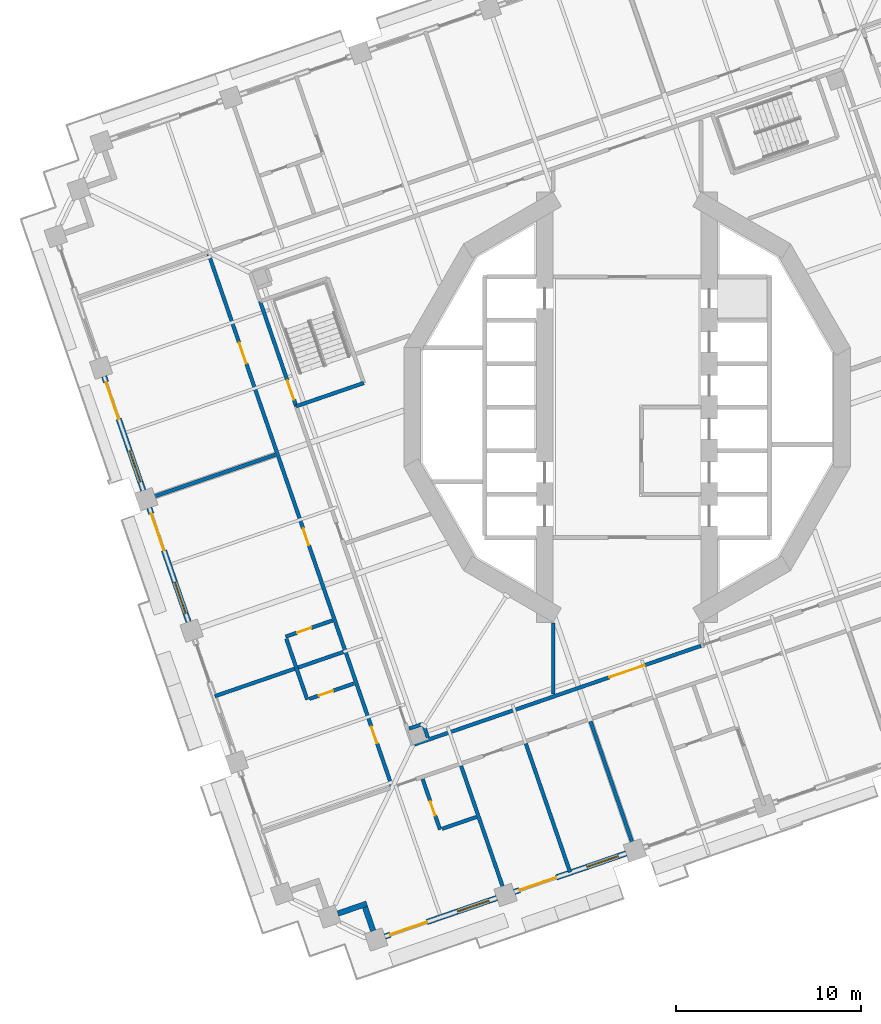
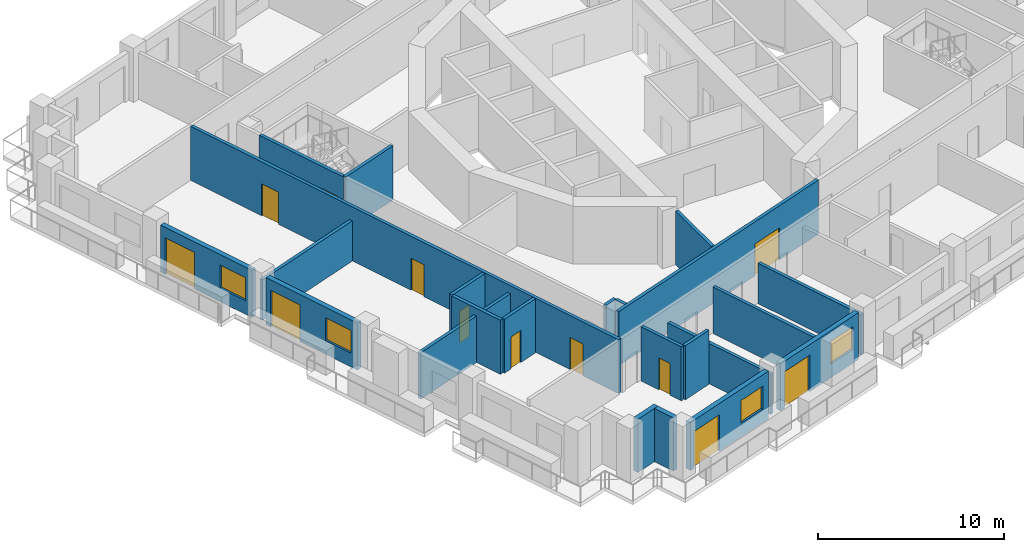
# One storey, part 7 of 19: 23 walls, 12 doors, 4 windows, 16 openings.
"""IFC4 building model written with IfcOpenShell, lengths in metres."""

from ifc_helpers import new_model, si_unit, direction, frame, frame_2d, origin, place, context, subcontext, project, spatial, rectangle, extrude, material, layer, layer_set, type_object, element, fill, save


model = new_model("IFC4")

# Units and contexts
model_context = context("Model", 3, precision=1e-05, world=origin(), true_north=direction((0.0, 1.0)))
body_context = subcontext(model_context, "Body", "Model", "MODEL_VIEW")
ifc_project = project(units=[si_unit("LENGTHUNIT", "METRE"), si_unit("AREAUNIT", "SQUARE_METRE"), si_unit("VOLUMEUNIT", "CUBIC_METRE"), si_unit("PLANEANGLEUNIT", "RADIAN"), si_unit("MASSUNIT", "GRAM", prefix="KILO")], contexts=[model_context])

# Site, building, storey
site_placement = place(None, origin())
site = spatial("IfcSite", under=ifc_project, at=site_placement, CompositionType="ELEMENT")
building_placement = place(site_placement, origin())
building = spatial("IfcBuilding", under=site, at=building_placement, Name="Cantera Rosa Tower", CompositionType="ELEMENT")
storey_placement = place(building_placement, frame((0.0, 0.0, 126.89990234375)))
storey = spatial("IfcBuildingStorey", under=building, at=storey_placement, Name="L26", CompositionType="ELEMENT", Elevation=126.89990234375)

# Wall, openings, doors
ifc_material_1 = material(Name="Gypsum board partition")
ifc_layer_1 = layer(ifc_material_1, 0.199951171875)
ifc_layer_set_1 = layer_set([ifc_layer_1], Name="CORRIDOR WALL 200 H3550")
wall_type_1 = type_object("IfcWallType", Name="CORRIDOR WALL 200 H3550", PredefinedType="PARTITIONING", material=ifc_layer_set_1)
wall_1_placement = place(storey_placement, frame((-22.6298828125, 8.28369140625, 0.0), z_axis=(0.0, 0.0, 1.0), x_axis=(0.325570542196, -0.945517753431, 0.0)))
wall_1 = element("IfcWall", 1, at=wall_1_placement, inside=storey, type_object=wall_type_1, Name="CORRIDOR WALL L26-002", PredefinedType="PARTITIONING", context=body_context, shape_type="SweptSolid", body=[
    extrude(rectangle(XDim=30.5, YDim=0.199951171875, at=frame_2d((15.25, 0.0))), origin(), (0.0, 0.0, 1.0), 3.550048828125),
])
opening_1_placement = place(wall_1_placement, frame((5.070068359375, 0.0, 0.0)))
opening_1 = element("IfcOpeningElement", 2, at=opening_1_placement, cuts=wall_1, Name="Opening L26-027", PredefinedType="OPENING", context=body_context, shape_type="SweptSolid", body=[
    extrude(rectangle(XDim=1.199951171875, YDim=2.10009765625, at=frame_2d((0.60009765625, 1.050048828125))), frame((0.0, 0.10986328125, 0.0), z_axis=(0.0, -1.0, 0.0), x_axis=(1.0, 0.0, 0.0)), (0.0, 0.0, 1.0), 0.219970703125),
])
opening_2_placement = place(wall_1_placement, frame((15.705078125, 0.0, 0.0)))
opening_2 = element("IfcOpeningElement", 3, at=opening_2_placement, cuts=wall_1, Name="Opening L26-028", PredefinedType="OPENING", context=body_context, shape_type="SweptSolid", body=[
    extrude(rectangle(XDim=0.949951171875, YDim=2.10009765625, at=frame_2d((0.47509765625, 1.050048828125))), frame((0.0, 0.10986328125, 0.0), z_axis=(0.0, -1.0, 0.0), x_axis=(1.0, 0.0, 0.0)), (0.0, 0.0, 1.0), 0.219970703125),
])
opening_3_placement = place(wall_1_placement, frame((27.034912109375, 0.0, 0.0)))
opening_3 = element("IfcOpeningElement", 4, at=opening_3_placement, cuts=wall_1, Name="Opening L26-030", PredefinedType="OPENING", context=body_context, shape_type="SweptSolid", body=[
    extrude(rectangle(XDim=0.949951171875, YDim=2.10009765625, at=frame_2d((0.47509765625, 1.050048828125))), frame((0.0, 0.10986328125, 0.0), z_axis=(0.0, -1.0, 0.0), x_axis=(1.0, 0.0, 0.0)), (0.0, 0.0, 1.0), 0.219970703125),
])
ifc_material_2 = material(Name="Timber door leaf", Category="wood")
door_type_1 = type_object("IfcDoorType", Name="ROOM DOOR 1200x2100", OperationType="NOTDEFINED", PredefinedType="DOOR", material=ifc_material_2)
door_1_placement = place(opening_1_placement, origin())
door_1 = element("IfcDoor", 5, at=door_1_placement, inside=storey, type_object=door_type_1, Name="DOOR L26-027", OperationType="NOTDEFINED", OverallHeight=2.10009765625, OverallWidth=1.199951171875, PredefinedType="DOOR", context=body_context, shape_type="SweptSolid", body=[
    extrude(rectangle(XDim=1.199951171875, YDim=2.10009765625, at=frame_2d((0.60009765625, 1.050048828125))), frame((0.0, 0.02490234375, 0.0), z_axis=(0.0, -1.0, 0.0), x_axis=(1.0, 0.0, 0.0)), (0.0, 0.0, 1.0), 0.050048828125),
])
fill(opening_1, door_1)
ifc_material_3 = material(Name="Timber door leaf", Category="wood")
door_type_2 = type_object("IfcDoorType", Name="ROOM DOOR 950x2100", OperationType="NOTDEFINED", PredefinedType="DOOR", material=ifc_material_3)
door_2_placement = place(opening_2_placement, origin())
door_2 = element("IfcDoor", 6, at=door_2_placement, inside=storey, type_object=door_type_2, Name="DOOR L26-028", OperationType="NOTDEFINED", OverallHeight=2.10009765625, OverallWidth=0.949951171875, PredefinedType="DOOR", context=body_context, shape_type="SweptSolid", body=[
    extrude(rectangle(XDim=0.949951171875, YDim=2.10009765625, at=frame_2d((0.47509765625, 1.050048828125))), frame((0.0, 0.02490234375, 0.0), z_axis=(0.0, -1.0, 0.0), x_axis=(1.0, 0.0, 0.0)), (0.0, 0.0, 1.0), 0.050048828125),
])
fill(opening_2, door_2)
door_3_placement = place(opening_3_placement, origin())
door_3 = element("IfcDoor", 7, at=door_3_placement, inside=storey, type_object=door_type_2, Name="DOOR L26-030", OperationType="NOTDEFINED", OverallHeight=2.10009765625, OverallWidth=0.949951171875, PredefinedType="DOOR", context=body_context, shape_type="SweptSolid", body=[
    extrude(rectangle(XDim=0.949951171875, YDim=2.10009765625, at=frame_2d((0.47509765625, 1.050048828125))), frame((0.0, 0.02490234375, 0.0), z_axis=(0.0, -1.0, 0.0), x_axis=(1.0, 0.0, 0.0)), (0.0, 0.0, 1.0), 0.050048828125),
])
fill(opening_3, door_3)

# Wall, opening, door
wall_2_placement = place(storey_placement, frame((-11.489501953125, -18.23388671875, 0.0), z_axis=(0.0, 0.0, 1.0), x_axis=(0.945522545762, 0.325556624039, 0.0)))
wall_2 = element("IfcWall", 8, at=wall_2_placement, inside=storey, type_object=wall_type_1, Name="CORRIDOR WALL L26-023", PredefinedType="PARTITIONING", context=body_context, shape_type="SweptSolid", body=[
    extrude(rectangle(XDim=16.3818359375, YDim=0.199951171875, at=frame_2d((8.19091796875, 0.0))), origin(), (0.0, 0.0, 1.0), 3.550048828125),
])
opening_4_placement = place(wall_2_placement, frame((11.151611328125, 0.0, 0.0)))
opening_4 = element("IfcOpeningElement", 9, at=opening_4_placement, cuts=wall_2, Name="Opening L26-011", PredefinedType="OPENING", context=body_context, shape_type="SweptSolid", body=[
    extrude(rectangle(XDim=2.0, YDim=2.10009765625, at=frame_2d((1.0, 1.050048828125))), frame((0.0, 0.10986328125, 0.0), z_axis=(0.0, -1.0, 0.0), x_axis=(1.0, 0.0, 0.0)), (0.0, 0.0, 1.0), 0.219970703125),
])
ifc_material_4 = material(Name="Steel S355J2 (EN 10025-2)", Category="steel")
door_type_3 = type_object("IfcDoorType", Name="LOBBY SCREEN DOOR 2000x2100", OperationType="NOTDEFINED", PredefinedType="DOOR", material=ifc_material_4)
door_4_placement = place(opening_4_placement, origin())
door_4 = element("IfcDoor", 10, at=door_4_placement, inside=storey, type_object=door_type_3, Name="DOOR L26-011", OperationType="NOTDEFINED", OverallHeight=2.10009765625, OverallWidth=2.0, PredefinedType="DOOR", context=body_context, shape_type="SweptSolid", body=[
    extrude(rectangle(XDim=2.0, YDim=2.10009765625, at=frame_2d((1.0, 1.050048828125))), frame((0.0, 0.02490234375, 0.0), z_axis=(0.0, -1.0, 0.0), x_axis=(1.0, 0.0, 0.0)), (0.0, 0.0, 1.0), 0.050048828125),
])
fill(opening_4, door_4)

# Walls
wall_3_placement = place(storey_placement, frame((-4.0, -11.667236328125, 0.0), z_axis=(0.0, 0.0, 1.0), x_axis=(0.0, -1.0, 0.0)))
element("IfcWall", 11, at=wall_3_placement, inside=storey, type_object=wall_type_1, Name="CORRIDOR WALL L26-042", PredefinedType="PARTITIONING", context=body_context, shape_type="SweptSolid", body=[
    extrude(rectangle(XDim=3.847900390625, YDim=0.199951171875, at=frame_2d((1.923828125, 0.0))), origin(), (0.0, 0.0, 1.0), 3.550048828125),
])
ifc_material_5 = material(Name="Hollow clay masonry with cantera stone cladding", Category="masonry")
ifc_layer_2 = layer(ifc_material_5, 0.300048828125)
ifc_layer_set_2 = layer_set([ifc_layer_2], Name="EW-LOGGIA 300")
wall_type_2 = type_object("IfcWallType", Name="EW-LOGGIA 300", PredefinedType="SOLIDWALL", material=ifc_layer_set_2)
wall_4_placement = place(storey_placement, frame((-15.636962890625, -27.3828125, 0.0), z_axis=(0.0, 0.0, 1.0), x_axis=(0.945484566827, 0.325666906351, 0.0)))
element("IfcWall", 12, at=wall_4_placement, inside=storey, type_object=wall_type_2, Name="EN-L26-W22a", PredefinedType="SOLIDWALL", context=body_context, shape_type="SweptSolid", body=[
    extrude(rectangle(XDim=1.64990234375, YDim=0.300048828125, at=frame_2d((0.824951171875, 0.0))), origin(), (0.0, 0.0, 1.0), 3.5),
])
wall_5_placement = place(storey_placement, frame((-14.169921875, -27.0361328125, 0.0), z_axis=(0.0, 0.0, 1.0), x_axis=(0.325650742363, -0.945490134268, 0.0)))
element("IfcWall", 13, at=wall_5_placement, inside=storey, type_object=wall_type_2, Name="EN-L26-W22b", PredefinedType="SOLIDWALL", context=body_context, shape_type="SweptSolid", body=[
    extrude(rectangle(XDim=1.35009765625, YDim=0.300048828125, at=frame_2d((0.675048828125, 0.0))), origin(), (0.0, 0.0, 1.0), 3.5),
])

# Wall, openings, window, door
ifc_material_6 = material(Name="Hollow clay masonry with cantera stone cladding", Category="masonry")
ifc_layer_3 = layer(ifc_material_6, 0.300048828125)
ifc_layer_set_3 = layer_set([ifc_layer_3], Name="EW-LOGGIA 300 H3090")
wall_type_3 = type_object("IfcWallType", Name="EW-LOGGIA 300 H3090", PredefinedType="SOLIDWALL", material=ifc_layer_set_3)
wall_6_placement = place(storey_placement, frame((-28.2822265625, 1.662841796875, 0.0), z_axis=(0.0, 0.0, 1.0), x_axis=(0.325580990241, -0.945514155787, 0.0)))
wall_6 = element("IfcWall", 14, at=wall_6_placement, inside=storey, type_object=wall_type_3, Name="EN-L26-W17", PredefinedType="SOLIDWALL", context=body_context, shape_type="SweptSolid", body=[
    extrude(rectangle(XDim=6.52001953125, YDim=0.300048828125, at=frame_2d((3.260009765625, 0.0))), origin(), (0.0, 0.0, 1.0), 3.090087890625),
])
opening_5_placement = place(wall_6_placement, frame((0.330078125, 0.0, 0.0)))
opening_5 = element("IfcOpeningElement", 15, at=opening_5_placement, cuts=wall_6, Name="Opening L26-TD21", PredefinedType="OPENING", context=body_context, shape_type="SweptSolid", body=[
    extrude(rectangle(XDim=2.10009765625, YDim=2.39990234375, at=frame_2d((1.050048828125, 1.199951171875))), frame((0.0, 0.159912109375, 0.0), z_axis=(0.0, -1.0, 0.0), x_axis=(1.0, 0.0, 0.0)), (0.0, 0.0, 1.0), 0.320068359375),
])
opening_6_placement = place(wall_6_placement, frame((4.239990234375, 0.0, 0.89990234375)))
opening_6 = element("IfcOpeningElement", 16, at=opening_6_placement, cuts=wall_6, Name="Opening L26-W22", PredefinedType="OPENING", context=body_context, shape_type="SweptSolid", body=[
    extrude(rectangle(XDim=1.800048828125, YDim=1.5, at=frame_2d((0.89990234375, 0.75))), frame((0.0, 0.159912109375, 0.0), z_axis=(0.0, -1.0, 0.0), x_axis=(1.0, 0.0, 0.0)), (0.0, 0.0, 1.0), 0.320068359375),
])
ifc_material_7 = material(Name="Aluminium frame with clear glass", Category="aluminium")
window_type = type_object("IfcWindowType", Name="Hotel room window 1800x1500", PartitioningType="DOUBLE_PANEL_VERTICAL", PredefinedType="WINDOW", material=ifc_material_7)
window_1_placement = place(opening_6_placement, origin())
window_1 = element("IfcWindow", 17, at=window_1_placement, inside=storey, type_object=window_type, Name="WINDOW L26-W22", OverallHeight=1.5, OverallWidth=1.800048828125, PartitioningType="SINGLE_PANEL", PredefinedType="WINDOW", context=body_context, shape_type="SweptSolid", body=[
    extrude(rectangle(XDim=1.800048828125, YDim=1.5, at=frame_2d((0.89990234375, 0.75))), frame((0.0, 0.030029296875, 0.0), z_axis=(0.0, -1.0, 0.0), x_axis=(1.0, 0.0, 0.0)), (0.0, 0.0, 1.0), 0.06005859375),
])
fill(opening_6, window_1)
ifc_material_8 = material(Name="Aluminium frame with clear glass", Category="aluminium")
door_type_4 = type_object("IfcDoorType", Name="TD-H 2100x2400", OperationType="NOTDEFINED", PredefinedType="DOOR", material=ifc_material_8)
door_5_placement = place(opening_5_placement, origin())
door_5 = element("IfcDoor", 18, at=door_5_placement, inside=storey, type_object=door_type_4, Name="LOGGIA DOOR L26-TD21", OperationType="SLIDING_TO_LEFT", OverallHeight=2.39990234375, OverallWidth=2.10009765625, PredefinedType="DOOR", context=body_context, shape_type="SweptSolid", body=[
    extrude(rectangle(XDim=2.10009765625, YDim=2.39990234375, at=frame_2d((1.050048828125, 1.199951171875))), frame((0.0, 0.02490234375, 0.0), z_axis=(0.0, -1.0, 0.0), x_axis=(1.0, 0.0, 0.0)), (0.0, 0.0, 1.0), 0.050048828125),
])
fill(opening_5, door_5)

wall_7_placement = place(storey_placement, frame((-25.833984375, -5.447509765625, 0.0), z_axis=(0.0, 0.0, 1.0), x_axis=(0.325580990241, -0.945514155787, 0.0)))
wall_7 = element("IfcWall", 19, at=wall_7_placement, inside=storey, type_object=wall_type_3, Name="EN-L26-W18", PredefinedType="SOLIDWALL", context=body_context, shape_type="SweptSolid", body=[
    extrude(rectangle(XDim=6.52001953125, YDim=0.300048828125, at=frame_2d((3.260009765625, 0.0))), origin(), (0.0, 0.0, 1.0), 3.090087890625),
])
opening_7_placement = place(wall_7_placement, frame((0.330078125, 0.0, 0.0)))
opening_7 = element("IfcOpeningElement", 20, at=opening_7_placement, cuts=wall_7, Name="Opening L26-TD23", PredefinedType="OPENING", context=body_context, shape_type="SweptSolid", body=[
    extrude(rectangle(XDim=2.10009765625, YDim=2.39990234375, at=frame_2d((1.050048828125, 1.199951171875))), frame((0.0, 0.159912109375, 0.0), z_axis=(0.0, -1.0, 0.0), x_axis=(1.0, 0.0, 0.0)), (0.0, 0.0, 1.0), 0.320068359375),
])
opening_8_placement = place(wall_7_placement, frame((4.239990234375, 0.0, 0.89990234375)))
opening_8 = element("IfcOpeningElement", 21, at=opening_8_placement, cuts=wall_7, Name="Opening L26-W24", PredefinedType="OPENING", context=body_context, shape_type="SweptSolid", body=[
    extrude(rectangle(XDim=1.800048828125, YDim=1.5, at=frame_2d((0.89990234375, 0.75))), frame((0.0, 0.159912109375, 0.0), z_axis=(0.0, -1.0, 0.0), x_axis=(1.0, 0.0, 0.0)), (0.0, 0.0, 1.0), 0.320068359375),
])
window_2_placement = place(opening_8_placement, origin())
window_2 = element("IfcWindow", 22, at=window_2_placement, inside=storey, type_object=window_type, Name="WINDOW L26-W24", OverallHeight=1.5, OverallWidth=1.800048828125, PartitioningType="SINGLE_PANEL", PredefinedType="WINDOW", context=body_context, shape_type="SweptSolid", body=[
    extrude(rectangle(XDim=1.800048828125, YDim=1.5, at=frame_2d((0.89990234375, 0.75))), frame((0.0, 0.030029296875, 0.0), z_axis=(0.0, -1.0, 0.0), x_axis=(1.0, 0.0, 0.0)), (0.0, 0.0, 1.0), 0.06005859375),
])
fill(opening_8, window_2)
door_6_placement = place(opening_7_placement, origin())
door_6 = element("IfcDoor", 23, at=door_6_placement, inside=storey, type_object=door_type_4, Name="LOGGIA DOOR L26-TD23", OperationType="SLIDING_TO_LEFT", OverallHeight=2.39990234375, OverallWidth=2.10009765625, PredefinedType="DOOR", context=body_context, shape_type="SweptSolid", body=[
    extrude(rectangle(XDim=2.10009765625, YDim=2.39990234375, at=frame_2d((1.050048828125, 1.199951171875))), frame((0.0, 0.02490234375, 0.0), z_axis=(0.0, -1.0, 0.0), x_axis=(1.0, 0.0, 0.0)), (0.0, 0.0, 1.0), 0.050048828125),
])
fill(opening_7, door_6)

wall_8_placement = place(storey_placement, frame((-6.097900390625, -26.21337890625, 0.0), z_axis=(0.0, 0.0, 1.0), x_axis=(0.945524496524, 0.325550958337, 0.0)))
wall_8 = element("IfcWall", 24, at=wall_8_placement, inside=storey, type_object=wall_type_3, Name="EN-L26-W24", PredefinedType="SOLIDWALL", context=body_context, shape_type="SweptSolid", body=[
    extrude(rectangle(XDim=6.39990234375, YDim=0.300048828125, at=frame_2d((3.199951171875, 0.0))), origin(), (0.0, 0.0, 1.0), 3.090087890625),
])
opening_9_placement = place(wall_8_placement, frame((0.300048828125, 0.0, 0.0)))
opening_9 = element("IfcOpeningElement", 25, at=opening_9_placement, cuts=wall_8, Name="Opening L26-TD31", PredefinedType="OPENING", context=body_context, shape_type="SweptSolid", body=[
    extrude(rectangle(XDim=2.10009765625, YDim=2.39990234375, at=frame_2d((1.050048828125, 1.199951171875))), frame((0.0, 0.159912109375, 0.0), z_axis=(0.0, -1.0, 0.0), x_axis=(1.0, 0.0, 0.0)), (0.0, 0.0, 1.0), 0.320068359375),
])
opening_10_placement = place(wall_8_placement, frame((4.14990234375, 0.0, 0.89990234375)))
opening_10 = element("IfcOpeningElement", 26, at=opening_10_placement, cuts=wall_8, Name="Opening L26-W32", PredefinedType="OPENING", context=body_context, shape_type="SweptSolid", body=[
    extrude(rectangle(XDim=1.800048828125, YDim=1.5, at=frame_2d((0.89990234375, 0.75))), frame((0.0, 0.159912109375, 0.0), z_axis=(0.0, -1.0, 0.0), x_axis=(1.0, 0.0, 0.0)), (0.0, 0.0, 1.0), 0.320068359375),
])
window_3_placement = place(opening_10_placement, origin())
window_3 = element("IfcWindow", 27, at=window_3_placement, inside=storey, type_object=window_type, Name="WINDOW L26-W32", OverallHeight=1.5, OverallWidth=1.800048828125, PartitioningType="SINGLE_PANEL", PredefinedType="WINDOW", context=body_context, shape_type="SweptSolid", body=[
    extrude(rectangle(XDim=1.800048828125, YDim=1.5, at=frame_2d((0.89990234375, 0.75))), frame((0.0, 0.030029296875, 0.0), z_axis=(0.0, -1.0, 0.0), x_axis=(1.0, 0.0, 0.0)), (0.0, 0.0, 1.0), 0.06005859375),
])
fill(opening_10, window_3)
door_7_placement = place(opening_9_placement, origin())
door_7 = element("IfcDoor", 28, at=door_7_placement, inside=storey, type_object=door_type_4, Name="LOGGIA DOOR L26-TD31", OperationType="SLIDING_TO_LEFT", OverallHeight=2.39990234375, OverallWidth=2.10009765625, PredefinedType="DOOR", context=body_context, shape_type="SweptSolid", body=[
    extrude(rectangle(XDim=2.10009765625, YDim=2.39990234375, at=frame_2d((1.050048828125, 1.199951171875))), frame((0.0, 0.02490234375, 0.0), z_axis=(0.0, -1.0, 0.0), x_axis=(1.0, 0.0, 0.0)), (0.0, 0.0, 1.0), 0.050048828125),
])
fill(opening_9, door_7)

ifc_material_9 = material(Name="Hollow clay masonry with cantera stone cladding", Category="masonry")
ifc_layer_4 = layer(ifc_material_9, 0.300048828125)
ifc_layer_set_4 = layer_set([ifc_layer_4], Name="EW-LOGGIA 300 H3140")
wall_type_4 = type_object("IfcWallType", Name="EW-LOGGIA 300 H3140", PredefinedType="SOLIDWALL", material=ifc_layer_set_4)
wall_9_placement = place(storey_placement, frame((-13.0947265625, -28.62255859375, 0.0), z_axis=(0.0, 0.0, 1.0), x_axis=(0.945524496524, 0.325550958337, 0.0)))
wall_9 = element("IfcWall", 29, at=wall_9_placement, inside=storey, type_object=wall_type_4, Name="EN-L26-W23", PredefinedType="SOLIDWALL", context=body_context, shape_type="SweptSolid", body=[
    extrude(rectangle(XDim=6.39990234375, YDim=0.300048828125, at=frame_2d((3.199951171875, 0.0))), origin(), (0.0, 0.0, 1.0), 3.14013671875),
])
opening_11_placement = place(wall_9_placement, frame((0.300048828125, 0.0, 0.0)))
opening_11 = element("IfcOpeningElement", 30, at=opening_11_placement, cuts=wall_9, Name="Opening L26-TD29", PredefinedType="OPENING", context=body_context, shape_type="SweptSolid", body=[
    extrude(rectangle(XDim=2.10009765625, YDim=2.39990234375, at=frame_2d((1.050048828125, 1.199951171875))), frame((0.0, 0.159912109375, 0.0), z_axis=(0.0, -1.0, 0.0), x_axis=(1.0, 0.0, 0.0)), (0.0, 0.0, 1.0), 0.320068359375),
])
opening_12_placement = place(wall_9_placement, frame((4.14990234375, 0.0, 0.89990234375)))
opening_12 = element("IfcOpeningElement", 31, at=opening_12_placement, cuts=wall_9, Name="Opening L26-W30", PredefinedType="OPENING", context=body_context, shape_type="SweptSolid", body=[
    extrude(rectangle(XDim=1.800048828125, YDim=1.5, at=frame_2d((0.89990234375, 0.75))), frame((0.0, 0.159912109375, 0.0), z_axis=(0.0, -1.0, 0.0), x_axis=(1.0, 0.0, 0.0)), (0.0, 0.0, 1.0), 0.320068359375),
])
window_4_placement = place(opening_12_placement, origin())
window_4 = element("IfcWindow", 32, at=window_4_placement, inside=storey, type_object=window_type, Name="WINDOW L26-W30", OverallHeight=1.5, OverallWidth=1.800048828125, PartitioningType="SINGLE_PANEL", PredefinedType="WINDOW", context=body_context, shape_type="SweptSolid", body=[
    extrude(rectangle(XDim=1.800048828125, YDim=1.5, at=frame_2d((0.89990234375, 0.75))), frame((0.0, 0.030029296875, 0.0), z_axis=(0.0, -1.0, 0.0), x_axis=(1.0, 0.0, 0.0)), (0.0, 0.0, 1.0), 0.06005859375),
])
fill(opening_12, window_4)
door_8_placement = place(opening_11_placement, origin())
door_8 = element("IfcDoor", 33, at=door_8_placement, inside=storey, type_object=door_type_4, Name="LOGGIA DOOR L26-TD29", OperationType="SLIDING_TO_LEFT", OverallHeight=2.39990234375, OverallWidth=2.10009765625, PredefinedType="DOOR", context=body_context, shape_type="SweptSolid", body=[
    extrude(rectangle(XDim=2.10009765625, YDim=2.39990234375, at=frame_2d((1.050048828125, 1.199951171875))), frame((0.0, 0.02490234375, 0.0), z_axis=(0.0, -1.0, 0.0), x_axis=(1.0, 0.0, 0.0)), (0.0, 0.0, 1.0), 0.050048828125),
])
fill(opening_11, door_8)

# Walls
ifc_material_10 = material(Name="Gypsum board partition")
ifc_layer_5 = layer(ifc_material_10, 0.199951171875)
ifc_layer_set_5 = layer_set([ifc_layer_5], Name="PARTITION 200 H2650")
wall_type_5 = type_object("IfcWallType", Name="PARTITION 200 H2650", PredefinedType="PARTITIONING", material=ifc_layer_set_5)
wall_10_placement = place(storey_placement, frame((-1.9765625, -16.989013671875, 0.0), z_axis=(0.0, 0.0, 1.0), x_axis=(0.325549451152, -0.945525015457, 0.0)))
element("IfcWall", 34, at=wall_10_placement, inside=storey, type_object=wall_type_5, Name="PARTITION L26-045", PredefinedType="PARTITIONING", context=body_context, shape_type="SweptSolid", body=[
    extrude(rectangle(XDim=7.35009765625, YDim=0.199951171875, at=frame_2d((3.675048828125, 0.0))), origin(), (0.0, 0.0, 1.0), 2.650146484375),
])
ifc_material_11 = material(Name="Gypsum board partition")
ifc_layer_6 = layer(ifc_material_11, 0.199951171875)
ifc_layer_set_6 = layer_set([ifc_layer_6], Name="PARTITION 200 H3050")
wall_type_6 = type_object("IfcWallType", Name="PARTITION 200 H3050", PredefinedType="PARTITIONING", material=ifc_layer_set_6)
wall_11_placement = place(storey_placement, frame((-5.47509765625, -18.193603515625, 0.0), z_axis=(0.0, 0.0, 1.0), x_axis=(0.325579146306, -0.945514790731, 0.0)))
element("IfcWall", 35, at=wall_11_placement, inside=storey, type_object=wall_type_6, Name="PARTITION L26-040", PredefinedType="PARTITIONING", context=body_context, shape_type="SweptSolid", body=[
    extrude(rectangle(XDim=7.35009765625, YDim=0.199951171875, at=frame_2d((3.675048828125, 0.0))), origin(), (0.0, 0.0, 1.0), 3.050048828125),
])

# Wall, opening, door
ifc_material_12 = material(Name="Gypsum board partition")
ifc_layer_7 = layer(ifc_material_12, 0.199951171875)
ifc_layer_set_7 = layer_set([ifc_layer_7], Name="PARTITION 200 H3550")
wall_type_7 = type_object("IfcWallType", Name="PARTITION 200 H3550", PredefinedType="PARTITIONING", material=ifc_layer_set_7)
wall_12_placement = place(storey_placement, frame((-18.46630859375, -12.408203125, 0.0), z_axis=(0.0, 0.0, 1.0), x_axis=(0.94551230217, 0.325586373249, 0.0)))
wall_12 = element("IfcWall", 36, at=wall_12_placement, inside=storey, type_object=wall_type_7, Name="PARTITION L26-010", PredefinedType="PARTITIONING", context=body_context, shape_type="SweptSolid", body=[
    extrude(rectangle(XDim=2.679931640625, YDim=0.199951171875, at=frame_2d((1.33984375, 0.0))), origin(), (0.0, 0.0, 1.0), 3.550048828125),
])
opening_13_placement = place(wall_12_placement, frame((0.6640625, 0.0, 0.0)))
opening_13 = element("IfcOpeningElement", 37, at=opening_13_placement, cuts=wall_12, Name="Opening L26-029", PredefinedType="OPENING", context=body_context, shape_type="SweptSolid", body=[
    extrude(rectangle(XDim=0.800048828125, YDim=2.10009765625, at=frame_2d((0.39990234375, 1.050048828125))), frame((0.0, 0.10986328125, 0.0), z_axis=(0.0, -1.0, 0.0), x_axis=(1.0, 0.0, 0.0)), (0.0, 0.0, 1.0), 0.219970703125),
])
ifc_material_13 = material(Name="Timber door leaf", Category="wood")
door_type_5 = type_object("IfcDoorType", Name="BATHROOM DOOR 800x2100", OperationType="NOTDEFINED", PredefinedType="DOOR", material=ifc_material_13)
door_9_placement = place(opening_13_placement, origin())
door_9 = element("IfcDoor", 38, at=door_9_placement, inside=storey, type_object=door_type_5, Name="DOOR L26-029", OperationType="NOTDEFINED", OverallHeight=2.10009765625, OverallWidth=0.800048828125, PredefinedType="DOOR", context=body_context, shape_type="SweptSolid", body=[
    extrude(rectangle(XDim=0.800048828125, YDim=2.10009765625, at=frame_2d((0.39990234375, 1.050048828125))), frame((0.0, 0.02490234375, 0.0), z_axis=(0.0, -1.0, 0.0), x_axis=(1.0, 0.0, 0.0)), (0.0, 0.0, 1.0), 0.050048828125),
])
fill(opening_13, door_9)

# Wall
wall_13_placement = place(storey_placement, frame((-17.29443359375, -15.81201171875, 0.0), z_axis=(0.0, 0.0, 1.0), x_axis=(-0.325514995811, 0.945536877918, 0.0)))
element("IfcWall", 39, at=wall_13_placement, inside=storey, type_object=wall_type_7, Name="PARTITION L26-015", PredefinedType="PARTITIONING", context=body_context, shape_type="SweptSolid", body=[
    extrude(rectangle(XDim=3.47998046875, YDim=0.199951171875, at=frame_2d((1.739990234375, 0.0))), origin(), (0.0, 0.0, 1.0), 3.550048828125),
])

# Wall, opening, door
wall_14_placement = place(storey_placement, frame((-14.760498046875, -14.939453125, 0.0), z_axis=(0.0, 0.0, 1.0), x_axis=(-0.9455087096, -0.325596805989, 0.0)))
wall_14 = element("IfcWall", 40, at=wall_14_placement, inside=storey, type_object=wall_type_7, Name="PARTITION L26-019", PredefinedType="PARTITIONING", context=body_context, shape_type="SweptSolid", body=[
    extrude(rectangle(XDim=2.559814453125, YDim=0.199951171875, at=frame_2d((1.27978515625, 0.0))), origin(), (0.0, 0.0, 1.0), 3.550048828125),
])
opening_14_placement = place(wall_14_placement, frame((1.216064453125, 0.0, 0.0)))
opening_14 = element("IfcOpeningElement", 41, at=opening_14_placement, cuts=wall_14, Name="Opening L26-031", PredefinedType="OPENING", context=body_context, shape_type="SweptSolid", body=[
    extrude(rectangle(XDim=0.800048828125, YDim=2.10009765625, at=frame_2d((0.39990234375, 1.050048828125))), frame((0.0, 0.10986328125, 0.0), z_axis=(0.0, -1.0, 0.0), x_axis=(1.0, 0.0, 0.0)), (0.0, 0.0, 1.0), 0.219970703125),
])
door_10_placement = place(opening_14_placement, origin())
door_10 = element("IfcDoor", 42, at=door_10_placement, inside=storey, type_object=door_type_5, Name="DOOR L26-031", OperationType="NOTDEFINED", OverallHeight=2.10009765625, OverallWidth=0.800048828125, PredefinedType="DOOR", context=body_context, shape_type="SweptSolid", body=[
    extrude(rectangle(XDim=0.800048828125, YDim=2.10009765625, at=frame_2d((0.39990234375, 1.050048828125))), frame((0.0, 0.02490234375, 0.0), z_axis=(0.0, -1.0, 0.0), x_axis=(1.0, 0.0, 0.0)), (0.0, 0.0, 1.0), 0.050048828125),
])
fill(opening_14, door_10)

# Walls
wall_15_placement = place(storey_placement, frame((-11.026123046875, -17.12255859375, 0.0), z_axis=(0.0, 0.0, 1.0), x_axis=(-0.945525269499, -0.325548713312, 0.0)))
element("IfcWall", 43, at=wall_15_placement, inside=storey, type_object=wall_type_7, Name="PARTITION L26-024", PredefinedType="PARTITIONING", context=body_context, shape_type="SweptSolid", body=[
    extrude(rectangle(XDim=0.80029296875, YDim=0.199951171875, at=frame_2d((0.400146484375, 0.0))), origin(), (0.0, 0.0, 1.0), 3.550048828125),
])
wall_16_placement = place(storey_placement, frame((-10.772216796875, -17.860107421875, 0.0), z_axis=(0.0, 0.0, 1.0), x_axis=(-0.325691873105, 0.945475966798, 0.0)))
element("IfcWall", 44, at=wall_16_placement, inside=storey, type_object=wall_type_7, Name="PARTITION L26-027", PredefinedType="PARTITIONING", context=body_context, shape_type="SweptSolid", body=[
    extrude(rectangle(XDim=0.679931640625, YDim=0.199951171875, at=frame_2d((0.33984375, 0.0))), origin(), (0.0, 0.0, 1.0), 3.550048828125),
])

# Wall, opening, door
wall_17_placement = place(storey_placement, frame((-10.115966796875, -22.837646484375, 0.0), z_axis=(0.0, 0.0, 1.0), x_axis=(-0.325596179186, 0.945508925447, 0.0)))
wall_17 = element("IfcWall", 45, at=wall_17_placement, inside=storey, type_object=wall_type_7, Name="PARTITION L26-030", PredefinedType="PARTITIONING", context=body_context, shape_type="SweptSolid", body=[
    extrude(rectangle(XDim=2.880126953125, YDim=0.199951171875, at=frame_2d((1.43994140625, 0.0))), origin(), (0.0, 0.0, 1.0), 3.550048828125),
])
opening_15_placement = place(wall_17_placement, frame((0.800048828125, 0.0, 0.0)))
opening_15 = element("IfcOpeningElement", 46, at=opening_15_placement, cuts=wall_17, Name="Opening L26-041", PredefinedType="OPENING", context=body_context, shape_type="SweptSolid", body=[
    extrude(rectangle(XDim=0.800048828125, YDim=2.10009765625, at=frame_2d((0.39990234375, 1.050048828125))), frame((0.0, 0.10986328125, 0.0), z_axis=(0.0, -1.0, 0.0), x_axis=(1.0, 0.0, 0.0)), (0.0, 0.0, 1.0), 0.219970703125),
])
door_11_placement = place(opening_15_placement, origin())
door_11 = element("IfcDoor", 47, at=door_11_placement, inside=storey, type_object=door_type_5, Name="DOOR L26-041", OperationType="NOTDEFINED", OverallHeight=2.10009765625, OverallWidth=0.800048828125, PredefinedType="DOOR", context=body_context, shape_type="SweptSolid", body=[
    extrude(rectangle(XDim=0.800048828125, YDim=2.10009765625, at=frame_2d((0.39990234375, 1.050048828125))), frame((0.0, 0.02490234375, 0.0), z_axis=(0.0, -1.0, 0.0), x_axis=(1.0, 0.0, 0.0)), (0.0, 0.0, 1.0), 0.050048828125),
])
fill(opening_15, door_11)

# Walls
wall_18_placement = place(storey_placement, frame((-8.149169921875, -22.160400390625, 0.0), z_axis=(0.0, 0.0, 1.0), x_axis=(-0.945510558394, -0.325591437181, 0.0)))
element("IfcWall", 48, at=wall_18_placement, inside=storey, type_object=wall_type_7, Name="PARTITION L26-031", PredefinedType="PARTITIONING", context=body_context, shape_type="SweptSolid", body=[
    extrude(rectangle(XDim=1.9599609375, YDim=0.199951171875, at=frame_2d((0.97998046875, 0.0))), origin(), (0.0, 0.0, 1.0), 3.550048828125),
])
ifc_material_14 = material(Name="Gypsum board partition")
ifc_layer_8 = layer(ifc_material_14, 0.199951171875)
ifc_layer_set_8 = layer_set([ifc_layer_8], Name="PARTY WALL 200 H2650")
wall_type_8 = type_object("IfcWallType", Name="PARTY WALL 200 H2650", PredefinedType="PARTITIONING", material=ifc_layer_set_8)
for number, where, z_axis, x_axis, name in (
    (49, (-19.018798828125, -2.572021484375, 0.0), (0.0, 0.0, 1.0), (-0.945514790731, -0.325579146306, 0.0), "PARTY WALL L26-009"),
    (50, (-6.58056640625, -26.347900390625, 0.0), (0.0, 0.0, 1.0), (-0.325549451152, 0.945525015457, 0.0), "PARTY WALL L26-039"),
):
    element("IfcWall", number, at=place(storey_placement, frame(where, z_axis=z_axis, x_axis=x_axis)), inside=storey, type_object=wall_type_8, Name=name, PredefinedType="PARTITIONING", context=body_context, shape_type="SweptSolid", body=[
        extrude(rectangle(XDim=7.35009765625, YDim=0.199951171875, at=frame_2d((3.675048828125, 0.0))), origin(), (0.0, 0.0, 1.0), 2.650146484375),
    ])
ifc_material_15 = material(Name="Gypsum board partition")
ifc_layer_9 = layer(ifc_material_15, 0.199951171875)
ifc_layer_set_9 = layer_set([ifc_layer_9], Name="PARTY WALL 200 H3050")
wall_type_9 = type_object("IfcWallType", Name="PARTY WALL 200 H3050", PredefinedType="PARTITIONING", material=ifc_layer_set_9)
wall_19_placement = place(storey_placement, frame((-15.346435546875, -13.237548828125, 0.0), z_axis=(0.0, 0.0, 1.0), x_axis=(-0.945521494984, -0.325559675824, 0.0)))
element("IfcWall", 51, at=wall_19_placement, inside=storey, type_object=wall_type_9, Name="PARTY WALL L26-018", PredefinedType="PARTITIONING", context=body_context, shape_type="SweptSolid", body=[
    extrude(rectangle(XDim=7.349853515625, YDim=0.199951171875, at=frame_2d((3.6748046875, 0.0))), origin(), (0.0, 0.0, 1.0), 3.050048828125),
])

# Wall, opening, door
ifc_material_16 = material(Name="Concrete C50/60", Category="concrete")
ifc_layer_10 = layer(ifc_material_16, 0.199951171875)
ifc_layer_set_10 = layer_set([ifc_layer_10], Name="STAIR WALL 200 H3550")
wall_type_10 = type_object("IfcWallType", Name="STAIR WALL 200 H3550", PredefinedType="SOLIDWALL", material=ifc_layer_set_10)
wall_20_placement = place(storey_placement, frame((-19.844970703125, 5.724365234375, 0.0), z_axis=(0.0, 0.0, 1.0), x_axis=(0.325563034341, -0.945520338581, 0.0)))
wall_20 = element("IfcWall", 52, at=wall_20_placement, inside=storey, type_object=wall_type_10, Name="STAIR WALL L26-005", PredefinedType="SOLIDWALL", context=body_context, shape_type="SweptSolid", body=[
    extrude(rectangle(XDim=6.0, YDim=0.199951171875, at=frame_2d((3.0, 0.0))), origin(), (0.0, 0.0, 1.0), 3.550048828125),
])
opening_16_placement = place(wall_20_placement, frame((4.52490234375, 0.0, 0.0)))
opening_16 = element("IfcOpeningElement", 53, at=opening_16_placement, cuts=wall_20, Name="Opening L26-002", PredefinedType="OPENING", context=body_context, shape_type="SweptSolid", body=[
    extrude(rectangle(XDim=1.10009765625, YDim=2.10009765625, at=frame_2d((0.550048828125, 1.050048828125))), frame((0.0, 0.10986328125, 0.0), z_axis=(0.0, -1.0, 0.0), x_axis=(1.0, 0.0, 0.0)), (0.0, 0.0, 1.0), 0.219970703125),
])
ifc_material_17 = material(Name="Steel S355J2 (EN 10025-2)", Category="steel")
door_type_6 = type_object("IfcDoorType", Name="STAIR DOOR 1100x2100", OperationType="NOTDEFINED", PredefinedType="DOOR", material=ifc_material_17)
door_12_placement = place(opening_16_placement, origin())
door_12 = element("IfcDoor", 54, at=door_12_placement, inside=storey, type_object=door_type_6, Name="DOOR L26-002", OperationType="NOTDEFINED", OverallHeight=2.10009765625, OverallWidth=1.10009765625, PredefinedType="DOOR", context=body_context, shape_type="SweptSolid", body=[
    extrude(rectangle(XDim=1.10009765625, YDim=2.10009765625, at=frame_2d((0.550048828125, 1.050048828125))), frame((0.0, 0.02490234375, 0.0), z_axis=(0.0, -1.0, 0.0), x_axis=(1.0, 0.0, 0.0)), (0.0, 0.0, 1.0), 0.050048828125),
])
fill(opening_16, door_12)

# Wall
wall_21_placement = place(storey_placement, frame((-17.8916015625, 0.05126953125, 0.0), z_axis=(0.0, 0.0, 1.0), x_axis=(0.945514621213, 0.325579638603, 0.0)))
element("IfcWall", 55, at=wall_21_placement, inside=storey, type_object=wall_type_10, Name="STAIR WALL L26-012", PredefinedType="SOLIDWALL", context=body_context, shape_type="SweptSolid", body=[
    extrude(rectangle(XDim=3.862548828125, YDim=0.199951171875, at=frame_2d((1.93115234375, 0.0))), origin(), (0.0, 0.0, 1.0), 3.550048828125),
])

save(model, "model.ifc")
